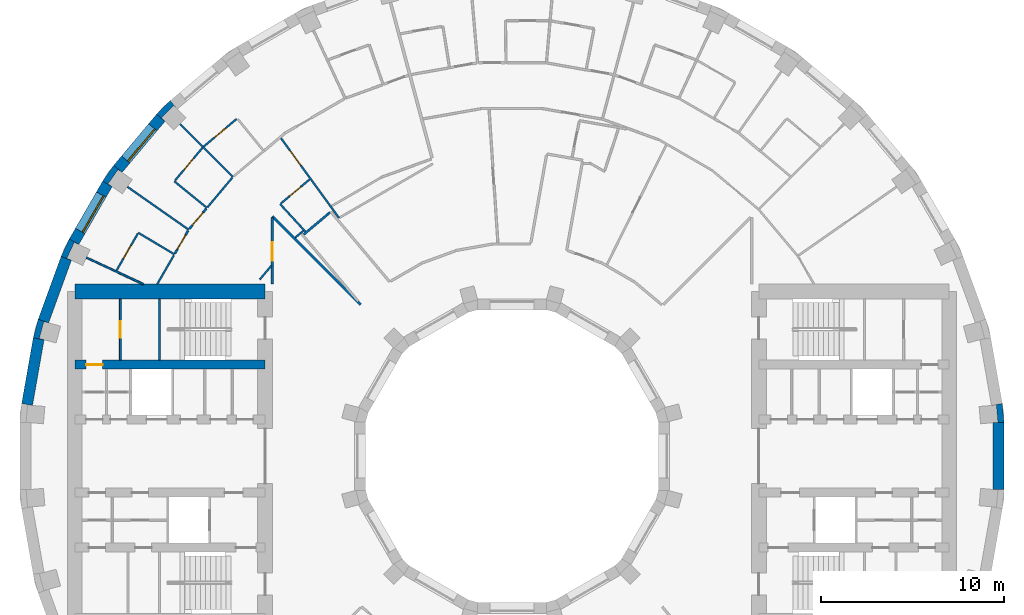
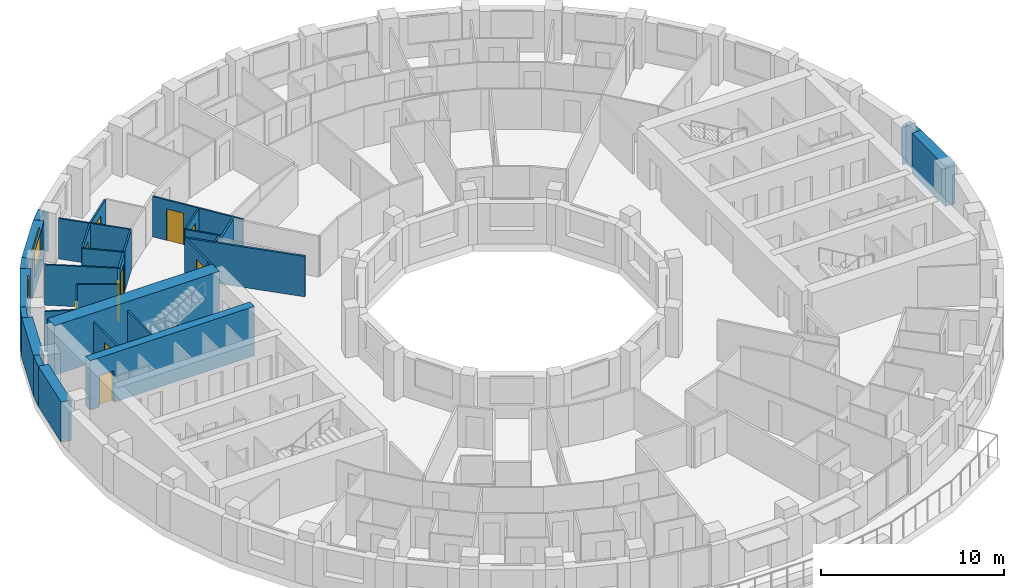
# One storey, part 11 of 16: 34 walls, 10 doors, 2 windows, 12 openings.
"""IFC4 building model written with IfcOpenShell, lengths in metres."""

from ifc_helpers import new_model, si_unit, direction, frame, frame_2d, origin, place, context, subcontext, project, spatial, polyline, rectangle, outline, extrude, material, layer, layer_set, type_object, element, fill, save


model = new_model("IFC4")

# Units and contexts
model_context = context("Model", 3, precision=1e-05, world=origin(), true_north=direction((0.0, 1.0)))
body_context = subcontext(model_context, "Body", "Model", "MODEL_VIEW")
ifc_project = project(units=[si_unit("LENGTHUNIT", "METRE"), si_unit("AREAUNIT", "SQUARE_METRE"), si_unit("VOLUMEUNIT", "CUBIC_METRE"), si_unit("PLANEANGLEUNIT", "RADIAN"), si_unit("MASSUNIT", "GRAM", prefix="KILO")], contexts=[model_context])

# Site, building, storey
site_placement = place(None, origin())
site = spatial("IfcSite", under=ifc_project, at=site_placement, CompositionType="ELEMENT")
building_placement = place(site_placement, origin())
building = spatial("IfcBuilding", under=site, at=building_placement, Name="Saqina Gate Tower", CompositionType="ELEMENT")
storey_placement = place(building_placement, frame((0.0, 0.0, 148.0)))
storey = spatial("IfcBuildingStorey", under=building, at=storey_placement, Name="L42", CompositionType="ELEMENT", Elevation=148.0)

# Walls
ifc_material_1 = material(Name="Brick masonry (buff)", Category="masonry")
wall_type_1 = type_object("IfcWallType", Name="BRICK PIER COPING BUFF", PredefinedType="SOLIDWALL", material=ifc_material_1)
wall_1_placement = place(storey_placement, origin())
element("IfcWall", 1, at=wall_1_placement, inside=storey, type_object=wall_type_1, Name="Pier cap L42 column 1", PredefinedType="SOLIDWALL", context=body_context, shape_type="SweptSolid", body=[
    extrude(outline(polyline([(26.805419921875, 2.87451171875), (26.214599609375, 2.770263671875), (26.482421875, 2.793701171875), (26.565185546875, 1.847412109375), (26.29736328125, 1.823974609375), (26.897216796875, 1.823974609375), (26.805419921875, 2.87451171875)])), origin(), (0.0, 0.0, 1.0), 2.699951171875),
])
wall_2_placement = place(storey_placement, origin())
element("IfcWall", 2, at=wall_2_placement, inside=storey, type_object=wall_type_1, Name="Pier cap L42 column 14", PredefinedType="SOLIDWALL", context=body_context, shape_type="SweptSolid", body=[
    extrude(outline(polyline([(-18.686279296875, 19.43212890625), (-19.43212890625, 18.686279296875), (-18.972412109375, 18.30078125), (-19.16259765625, 18.49072265625), (-18.49072265625, 19.16259765625), (-18.30078125, 18.972412109375), (-18.686279296875, 19.43212890625)])), origin(), (0.0, 0.0, 1.0), 2.699951171875),
])
wall_3_placement = place(storey_placement, origin())
element("IfcWall", 3, at=wall_3_placement, inside=storey, type_object=wall_type_1, Name="Pier cap L42 column 15", PredefinedType="SOLIDWALL", context=body_context, shape_type="SweptSolid", body=[
    extrude(outline(polyline([(-22.3818359375, 15.0283203125), (-21.862060546875, 14.728271484375), (-22.08251953125, 14.88232421875), (-21.53759765625, 15.66064453125), (-21.317138671875, 15.50634765625), (-21.77685546875, 15.89208984375), (-22.3818359375, 15.0283203125)])), origin(), (0.0, 0.0, 1.0), 2.699951171875),
])
wall_4_placement = place(storey_placement, origin())
element("IfcWall", 4, at=wall_4_placement, inside=storey, type_object=wall_type_1, Name="Pier cap L42 column 16", PredefinedType="SOLIDWALL", context=body_context, shape_type="SweptSolid", body=[
    extrude(outline(polyline([(-24.6513671875, 10.913330078125), (-24.08740234375, 10.7080078125), (-24.331298828125, 10.82177734375), (-23.9296875, 11.6826171875), (-23.68603515625, 11.569091796875), (-24.205810546875, 11.869140625), (-24.6513671875, 10.913330078125)])), origin(), (0.0, 0.0, 1.0), 2.699951171875),
])
wall_5_placement = place(storey_placement, origin())
element("IfcWall", 5, at=wall_5_placement, inside=storey, type_object=wall_type_1, Name="Pier cap L42 column 17", PredefinedType="SOLIDWALL", context=body_context, shape_type="SweptSolid", body=[
    extrude(outline(polyline([(-25.89892578125, 7.485595703125), (-26.171875, 6.466796875), (-25.5810546875, 6.36279296875), (-25.8408203125, 6.43212890625), (-25.5947265625, 7.349853515625), (-25.335205078125, 7.2802734375), (-25.89892578125, 7.485595703125)])), origin(), (0.0, 0.0, 1.0), 2.699951171875),
])

# Wall, opening, door
ifc_material_2 = material(Name="Gypsum board on steel studs", Category="steel")
ifc_layer_1 = layer(ifc_material_2, 0.10009765625)
ifc_layer_set_1 = layer_set([ifc_layer_1], Name="CORE PARTITION")
wall_type_2 = type_object("IfcWallType", Name="CORE PARTITION", PredefinedType="PARTITIONING", material=ifc_layer_set_1)
wall_6_placement = place(storey_placement, frame((-21.409912109375, 5.25, 0.0), z_axis=(0.0, 0.0, 1.0), x_axis=(0.0, 1.0, 0.0)))
wall_6 = element("IfcWall", 6, at=wall_6_placement, inside=storey, type_object=wall_type_2, Name="L42-CP-W14", PredefinedType="PARTITIONING", context=body_context, shape_type="SweptSolid", body=[
    extrude(rectangle(XDim=3.35009765625, YDim=0.10009765625, at=frame_2d((1.675048828125, 0.0))), origin(), (0.0, 0.0, 1.0), 2.699951171875),
])
opening_1_placement = place(wall_6_placement, frame((1.22509765625, 0.0, 0.0)))
opening_1 = element("IfcOpeningElement", 7, at=opening_1_placement, cuts=wall_6, Name="Opening G12-D120", PredefinedType="OPENING", context=body_context, shape_type="SweptSolid", body=[
    extrude(rectangle(XDim=0.89990234375, YDim=2.10009765625, at=frame_2d((0.449951171875, 1.050048828125))), frame((0.0, 0.06201171875, 0.0), z_axis=(0.0, -1.0, 0.0), x_axis=(1.0, 0.0, 0.0)), (0.0, 0.0, 1.0), 0.1240234375),
])
ifc_material_3 = material(Name="Steel-framed fire door leaf, EI 60", Category="steel")
door_type_1 = type_object("IfcDoorType", Name="SERVICE ROOM DOOR 900", OperationType="SINGLE_SWING_LEFT", PredefinedType="DOOR", material=ifc_material_3)
door_1_placement = place(opening_1_placement, origin())
door_1 = element("IfcDoor", 8, at=door_1_placement, inside=storey, type_object=door_type_1, Name="L42-CD-W31", OperationType="SINGLE_SWING_RIGHT", OverallHeight=2.10009765625, OverallWidth=0.89990234375, PredefinedType="DOOR", context=body_context, shape_type="SweptSolid", body=[
    extrude(rectangle(XDim=0.89990234375, YDim=2.10009765625, at=frame_2d((0.449951171875, 1.050048828125))), frame((0.0, 0.02490234375, 0.0), z_axis=(0.0, -1.0, 0.0), x_axis=(1.0, 0.0, 0.0)), (0.0, 0.0, 1.0), 0.050048828125),
])
fill(opening_1, door_1)

# Wall, opening, window
ifc_material_4 = material(Name="Brick masonry (buff)", Category="masonry")
ifc_layer_2 = layer(ifc_material_4, 0.60009765625)
ifc_layer_set_2 = layer_set([ifc_layer_2], Name="FW-BRICK-BUFF")
wall_type_3 = type_object("IfcWallType", Name="FW-BRICK-BUFF", PredefinedType="SOLIDWALL", material=ifc_layer_set_2)
wall_7_placement = place(storey_placement, frame((-19.202392578125, 18.49365234375, 0.0), z_axis=(0.0, 0.0, 1.0), x_axis=(-0.642774476932, -0.766055462616, 0.0)))
wall_7 = element("IfcWall", 9, at=wall_7_placement, inside=storey, type_object=wall_type_3, Name="Facade wall L42 facet 14", PredefinedType="SOLIDWALL", context=body_context, shape_type="SweptSolid", body=[
    extrude(rectangle(XDim=3.647705078125, YDim=0.60009765625, at=frame_2d((1.82373046875, 0.0))), origin(), (0.0, 0.0, 1.0), 2.699951171875),
])
opening_2_placement = place(wall_7_placement, frame((0.673828125, 0.0, 0.89990234375)))
opening_2 = element("IfcOpeningElement", 10, at=opening_2_placement, cuts=wall_7, Name="Opening G12-W12", PredefinedType="OPENING", context=body_context, shape_type="SweptSolid", body=[
    extrude(rectangle(XDim=2.300048828125, YDim=1.800048828125, at=frame_2d((1.14990234375, 0.89990234375))), frame((0.0, 0.31201171875, 0.0), z_axis=(0.0, -1.0, 0.0), x_axis=(1.0, 0.0, 0.0)), (0.0, 0.0, 1.0), 0.6240234375),
])
ifc_material_5 = material(Name="Aluminium glazing", Category="aluminium")
window_type = type_object("IfcWindowType", Name="WN-B", PartitioningType="SINGLE_PANEL", PredefinedType="WINDOW", material=ifc_material_5)
window_1_placement = place(opening_2_placement, origin())
window_1 = element("IfcWindow", 11, at=window_1_placement, inside=storey, type_object=window_type, Name="Window L42 facet 14", OverallHeight=1.800048828125, OverallWidth=2.300048828125, PartitioningType="SINGLE_PANEL", PredefinedType="WINDOW", context=body_context, shape_type="SweptSolid", body=[
    extrude(rectangle(XDim=2.300048828125, YDim=1.800048828125, at=frame_2d((1.14990234375, 0.89990234375))), frame((0.0, 0.179931640625, 0.0), z_axis=(0.0, -1.0, 0.0), x_axis=(1.0, 0.0, 0.0)), (0.0, 0.0, 1.0), 0.06005859375),
])
fill(opening_2, window_1)

wall_8_placement = place(storey_placement, frame((-22.1220703125, 14.878173828125, 0.0), z_axis=(0.0, 0.0, 1.0), x_axis=(-0.499954196102, -0.866051847062, 0.0)))
wall_8 = element("IfcWall", 12, at=wall_8_placement, inside=storey, type_object=wall_type_3, Name="Facade wall L42 facet 15", PredefinedType="SOLIDWALL", context=body_context, shape_type="SweptSolid", body=[
    extrude(rectangle(XDim=3.647705078125, YDim=0.60009765625, at=frame_2d((1.82373046875, 0.0))), origin(), (0.0, 0.0, 1.0), 2.699951171875),
])
opening_3_placement = place(wall_8_placement, frame((0.673828125, 0.0, 0.89990234375)))
opening_3 = element("IfcOpeningElement", 13, at=opening_3_placement, cuts=wall_8, Name="Opening G12-W13", PredefinedType="OPENING", context=body_context, shape_type="SweptSolid", body=[
    extrude(rectangle(XDim=2.300048828125, YDim=1.800048828125, at=frame_2d((1.14990234375, 0.89990234375))), frame((0.0, 0.31201171875, 0.0), z_axis=(0.0, -1.0, 0.0), x_axis=(1.0, 0.0, 0.0)), (0.0, 0.0, 1.0), 0.6240234375),
])
window_2_placement = place(opening_3_placement, origin())
window_2 = element("IfcWindow", 14, at=window_2_placement, inside=storey, type_object=window_type, Name="Window L42 facet 15", OverallHeight=1.800048828125, OverallWidth=2.300048828125, PartitioningType="SINGLE_PANEL", PredefinedType="WINDOW", context=body_context, shape_type="SweptSolid", body=[
    extrude(rectangle(XDim=2.300048828125, YDim=1.800048828125, at=frame_2d((1.14990234375, 0.89990234375))), frame((0.0, 0.179931640625, 0.0), z_axis=(0.0, -1.0, 0.0), x_axis=(1.0, 0.0, 0.0)), (0.0, 0.0, 1.0), 0.06005859375),
])
fill(opening_3, window_2)

# Walls
ifc_material_6 = material(Name="Glazed ceramic tile", Category="ceramic")
ifc_layer_3 = layer(ifc_material_6, 0.60009765625)
ifc_layer_set_3 = layer_set([ifc_layer_3], Name="FW-TILE")
wall_type_4 = type_object("IfcWallType", Name="FW-TILE", PredefinedType="SOLIDWALL", material=ifc_layer_set_3)
wall_9_placement = place(storey_placement, frame((-25.87646484375, 6.414794921875, 0.0), z_axis=(0.0, 0.0, 1.0), x_axis=(-0.173670796382, -0.984803764455, 0.0)))
element("IfcWall", 15, at=wall_9_placement, inside=storey, type_object=wall_type_4, Name="Facade wall L42 facet 17", PredefinedType="SOLIDWALL", context=body_context, shape_type="SweptSolid", body=[
    extrude(rectangle(XDim=3.64794921875, YDim=0.60009765625, at=frame_2d((1.823974609375, 0.0))), origin(), (0.0, 0.0, 1.0), 2.699951171875),
])
ifc_material_7 = material(Name="Glazed ceramic tile (dark blue)", Category="ceramic")
ifc_layer_4 = layer(ifc_material_7, 0.60009765625)
ifc_layer_set_4 = layer_set([ifc_layer_4], Name="FW-TILE-CB")
wall_type_5 = type_object("IfcWallType", Name="FW-TILE-CB", PredefinedType="SOLIDWALL", material=ifc_layer_set_4)
for number, where, z_axis, x_axis, name in (
    (16, (-24.369384765625, 10.810791015625, 0.0), (0.0, 0.0, 1.0), (-0.341990236633, -0.939703505393, 0.0), "Facade wall L42 facet 16"),
    (17, (26.59716796875, -1.823974609375, 0.0), (0.0, 0.0, 1.0), (0.0, 1.0, 0.0), "Facade wall L42 facet 36"),
):
    element("IfcWall", number, at=place(storey_placement, frame(where, z_axis=z_axis, x_axis=x_axis)), inside=storey, type_object=wall_type_5, Name=name, PredefinedType="SOLIDWALL", context=body_context, shape_type="SweptSolid", body=[
        extrude(rectangle(XDim=3.64794921875, YDim=0.60009765625, at=frame_2d((1.823974609375, 0.0))), origin(), (0.0, 0.0, 1.0), 2.699951171875),
    ])

# Wall, opening, door
ifc_material_8 = material(Name="Gypsum board on steel studs, 100 mm", Category="steel")
ifc_layer_5 = layer(ifc_material_8, 0.10009765625)
ifc_layer_set_5 = layer_set([ifc_layer_5], Name="PARTITION 100")
wall_type_6 = type_object("IfcWallType", Name="PARTITION 100", PredefinedType="PARTITIONING", material=ifc_layer_set_5)
wall_10_placement = place(storey_placement, frame((-12.629150390625, 17.3818359375, 0.0), z_axis=(0.0, 0.0, 1.0), x_axis=(0.587934886014, -0.808908257967, 0.0)))
wall_10 = element("IfcWall", 18, at=wall_10_placement, inside=storey, type_object=wall_type_6, Name="PARTITION PW3-14", PredefinedType="PARTITIONING", context=body_context, shape_type="SweptSolid", body=[
    extrude(rectangle(XDim=5.39501953125, YDim=0.10009765625, at=frame_2d((2.697509765625, 0.0))), origin(), (0.0, 0.0, 1.0), 2.699951171875),
])
opening_4_placement = place(wall_10_placement, frame((0.839599609375, 0.0, 0.0)))
opening_4 = element("IfcOpeningElement", 19, at=opening_4_placement, cuts=wall_10, Name="Opening G12-D24", PredefinedType="OPENING", context=body_context, shape_type="SweptSolid", body=[
    extrude(rectangle(XDim=1.0, YDim=2.10009765625, at=frame_2d((0.5, 1.050048828125))), frame((0.0, 0.06201171875, 0.0), z_axis=(0.0, -1.0, 0.0), x_axis=(1.0, 0.0, 0.0)), (0.0, 0.0, 1.0), 0.1240234375),
])
ifc_material_9 = material(Name="Timber door leaf, 1000 mm", Category="wood")
door_type_2 = type_object("IfcDoorType", Name="DOOR 1000 TIMBER", OperationType="SINGLE_SWING_LEFT", PredefinedType="DOOR", material=ifc_material_9)
door_2_placement = place(opening_4_placement, origin())
door_2 = element("IfcDoor", 20, at=door_2_placement, inside=storey, type_object=door_type_2, Name="DOOR G12-D24", OperationType="SINGLE_SWING_LEFT", OverallHeight=2.10009765625, OverallWidth=1.0, PredefinedType="DOOR", context=body_context, shape_type="SweptSolid", body=[
    extrude(rectangle(XDim=1.0, YDim=2.10009765625, at=frame_2d((0.5, 1.050048828125))), frame((0.0, 0.02490234375, 0.0), z_axis=(0.0, -1.0, 0.0), x_axis=(1.0, 0.0, 0.0)), (0.0, 0.0, 1.0), 0.050048828125),
])
fill(opening_4, door_2)

# Walls
wall_11_placement = place(storey_placement, frame((-12.67529296875, 13.775634765625, 0.0), z_axis=(0.0, 0.0, 1.0), x_axis=(0.676672647076, -0.736284000029, 0.0)))
element("IfcWall", 21, at=wall_11_placement, inside=storey, type_object=wall_type_6, Name="PARTITION PW3-21", PredefinedType="PARTITIONING", context=body_context, shape_type="SweptSolid", body=[
    extrude(rectangle(XDim=2.03955078125, YDim=0.10009765625, at=frame_2d((1.019775390625, 0.0))), origin(), (0.0, 0.0, 1.0), 2.699951171875),
])
wall_12_placement = place(storey_placement, frame((-18.14794921875, 18.14794921875, 0.0), z_axis=(0.0, 0.0, 1.0), x_axis=(0.707106781187, -0.707106781187, 0.0)))
element("IfcWall", 22, at=wall_12_placement, inside=storey, type_object=wall_type_6, Name="PARTITION PW3-23", PredefinedType="PARTITIONING", context=body_context, shape_type="SweptSolid", body=[
    extrude(rectangle(XDim=4.08544921875, YDim=0.10009765625, at=frame_2d((2.042724609375, 0.0))), origin(), (0.0, 0.0, 1.0), 2.699951171875),
])
wall_13_placement = place(storey_placement, frame((-18.4599609375, 15.02197265625, 0.0), z_axis=(0.0, 0.0, 1.0), x_axis=(0.775591007639, -0.6312357633, 0.0)))
element("IfcWall", 23, at=wall_13_placement, inside=storey, type_object=wall_type_6, Name="PARTITION PW3-32", PredefinedType="PARTITIONING", context=body_context, shape_type="SweptSolid", body=[
    extrude(rectangle(XDim=2.300048828125, YDim=0.10009765625, at=frame_2d((1.14990234375, 0.0))), origin(), (0.0, 0.0, 1.0), 2.699951171875),
])
wall_14_placement = place(storey_placement, frame((-21.023681640625, 14.720703125, 0.0), z_axis=(0.0, 0.0, 1.0), x_axis=(0.819108383097, -0.573638785945, 0.0)))
element("IfcWall", 24, at=wall_14_placement, inside=storey, type_object=wall_type_6, Name="PARTITION PW3-33", PredefinedType="PARTITIONING", context=body_context, shape_type="SweptSolid", body=[
    extrude(rectangle(XDim=4.085693359375, YDim=0.10009765625, at=frame_2d((2.04296875, 0.0))), origin(), (0.0, 0.0, 1.0), 2.699951171875),
])
wall_15_placement = place(storey_placement, frame((-20.429931640625, 12.208984375, 0.0), z_axis=(0.0, 0.0, 1.0), x_axis=(0.858446574718, -0.512902991174, 0.0)))
element("IfcWall", 25, at=wall_15_placement, inside=storey, type_object=wall_type_6, Name="PARTITION PW3-35", PredefinedType="PARTITIONING", context=body_context, shape_type="SweptSolid", body=[
    extrude(rectangle(XDim=2.300537109375, YDim=0.10009765625, at=frame_2d((1.150390625, 0.0))), origin(), (0.0, 0.0, 1.0), 2.699951171875),
])
wall_16_placement = place(storey_placement, frame((-23.260009765625, 10.84716796875, 0.0), z_axis=(0.0, 0.0, 1.0), x_axis=(0.906223222272, -0.422799564114, 0.0)))
element("IfcWall", 26, at=wall_16_placement, inside=storey, type_object=wall_type_6, Name="PARTITION PW3-45", PredefinedType="PARTITIONING", context=body_context, shape_type="SweptSolid", body=[
    extrude(rectangle(XDim=3.423095703125, YDim=0.10009765625, at=frame_2d((1.71142578125, 0.0))), origin(), (0.0, 0.0, 1.0), 2.699951171875),
])
wall_17_placement = place(storey_placement, frame((-11.853515625, 11.94140625, 0.0), z_axis=(0.0, 0.0, 1.0), x_axis=(0.765622887771, 0.643289665486, 0.0)))
element("IfcWall", 27, at=wall_17_placement, inside=storey, type_object=wall_type_6, Name="PARTITION PW3-83", PredefinedType="PARTITIONING", context=body_context, shape_type="SweptSolid", body=[
    extrude(rectangle(XDim=0.586669921875, YDim=0.10009765625, at=frame_2d((0.29345703125, 0.0))), origin(), (0.0, 0.0, 1.0), 2.699951171875),
])

# Wall, opening, door
wall_18_placement = place(storey_placement, frame((-12.63671875, 13.807861328125, 0.0), z_axis=(0.0, 0.0, 1.0), x_axis=(0.766269322056, 0.64251951416, 0.0)))
wall_18 = element("IfcWall", 28, at=wall_18_placement, inside=storey, type_object=wall_type_6, Name="PARTITION PW3-84", PredefinedType="PARTITIONING", context=body_context, shape_type="SweptSolid", body=[
    extrude(rectangle(XDim=2.0439453125, YDim=0.10009765625, at=frame_2d((1.02197265625, 0.0))), origin(), (0.0, 0.0, 1.0), 2.699951171875),
])
opening_5_placement = place(wall_18_placement, frame((0.6220703125, 0.0, 0.0)))
opening_5 = element("IfcOpeningElement", 29, at=opening_5_placement, cuts=wall_18, Name="Opening G12-D25", PredefinedType="OPENING", context=body_context, shape_type="SweptSolid", body=[
    extrude(rectangle(XDim=0.800048828125, YDim=2.10009765625, at=frame_2d((0.39990234375, 1.050048828125))), frame((0.0, 0.06201171875, 0.0), z_axis=(0.0, -1.0, 0.0), x_axis=(1.0, 0.0, 0.0)), (0.0, 0.0, 1.0), 0.1240234375),
])
ifc_material_10 = material(Name="Timber door leaf, 800 mm", Category="wood")
door_type_3 = type_object("IfcDoorType", Name="DOOR 800 TIMBER", OperationType="SINGLE_SWING_LEFT", PredefinedType="DOOR", material=ifc_material_10)
door_3_placement = place(opening_5_placement, origin())
door_3 = element("IfcDoor", 30, at=door_3_placement, inside=storey, type_object=door_type_3, Name="DOOR G12-D25", OperationType="SINGLE_SWING_RIGHT", OverallHeight=2.10009765625, OverallWidth=0.800048828125, PredefinedType="DOOR", context=body_context, shape_type="SweptSolid", body=[
    extrude(rectangle(XDim=0.800048828125, YDim=2.10009765625, at=frame_2d((0.39990234375, 1.050048828125))), frame((0.0, 0.02490234375, 0.0), z_axis=(0.0, -1.0, 0.0), x_axis=(1.0, 0.0, 0.0)), (0.0, 0.0, 1.0), 0.050048828125),
])
fill(opening_5, door_3)

wall_19_placement = place(storey_placement, frame((-16.852783203125, 16.923095703125, 0.0), z_axis=(0.0, 0.0, 1.0), x_axis=(0.765924716163, 0.642930267735, 0.0)))
wall_19 = element("IfcWall", 31, at=wall_19_placement, inside=storey, type_object=wall_type_6, Name="PARTITION PW3-86", PredefinedType="PARTITIONING", context=body_context, shape_type="SweptSolid", body=[
    extrude(rectangle(XDim=2.34033203125, YDim=0.10009765625, at=frame_2d((1.170166015625, 0.0))), origin(), (0.0, 0.0, 1.0), 2.699951171875),
])
opening_6_placement = place(wall_19_placement, frame((0.769287109375, 0.0, 0.0)))
opening_6 = element("IfcOpeningElement", 32, at=opening_6_placement, cuts=wall_19, Name="Opening G12-D26", PredefinedType="OPENING", context=body_context, shape_type="SweptSolid", body=[
    extrude(rectangle(XDim=0.800048828125, YDim=2.10009765625, at=frame_2d((0.39990234375, 1.050048828125))), frame((0.0, 0.06201171875, 0.0), z_axis=(0.0, -1.0, 0.0), x_axis=(1.0, 0.0, 0.0)), (0.0, 0.0, 1.0), 0.1240234375),
])
door_4_placement = place(opening_6_placement, origin())
door_4 = element("IfcDoor", 33, at=door_4_placement, inside=storey, type_object=door_type_3, Name="DOOR G12-D26", OperationType="SINGLE_SWING_LEFT", OverallHeight=2.10009765625, OverallWidth=0.800048828125, PredefinedType="DOOR", context=body_context, shape_type="SweptSolid", body=[
    extrude(rectangle(XDim=0.800048828125, YDim=2.10009765625, at=frame_2d((0.39990234375, 1.050048828125))), frame((0.0, 0.02490234375, 0.0), z_axis=(0.0, -1.0, 0.0), x_axis=(1.0, 0.0, 0.0)), (0.0, 0.0, 1.0), 0.050048828125),
])
fill(opening_6, door_4)

# Walls
wall_20_placement = place(storey_placement, frame((-13.7880859375, 9.654052734375, 0.0), z_axis=(0.0, 0.0, 1.0), x_axis=(0.64289662775, 0.765952952881, 0.0)))
element("IfcWall", 34, at=wall_20_placement, inside=storey, type_object=wall_type_6, Name="PARTITION PW3-93", PredefinedType="PARTITIONING", context=body_context, shape_type="SweptSolid", body=[
    extrude(rectangle(XDim=1.0078125, YDim=0.10009765625, at=frame_2d((0.50390625, 0.0))), origin(), (0.0, 0.0, 1.0), 2.699951171875),
])
wall_21_placement = place(storey_placement, frame((-16.643798828125, 13.6083984375, 0.0), z_axis=(0.0, 0.0, 1.0), x_axis=(0.642715569181, 0.766104886508, 0.0)))
element("IfcWall", 35, at=wall_21_placement, inside=storey, type_object=wall_type_6, Name="PARTITION PW3-94", PredefinedType="PARTITIONING", context=body_context, shape_type="SweptSolid", body=[
    extrude(rectangle(XDim=2.103271484375, YDim=0.10009765625, at=frame_2d((1.0517578125, 0.0))), origin(), (0.0, 0.0, 1.0), 2.699951171875),
])

# Wall, opening, door
wall_22_placement = place(storey_placement, frame((-18.427734375, 15.060302734375, 0.0), z_axis=(0.0, 0.0, 1.0), x_axis=(0.642930267735, 0.765924716163, 0.0)))
wall_22 = element("IfcWall", 36, at=wall_22_placement, inside=storey, type_object=wall_type_6, Name="PARTITION PW3-95", PredefinedType="PARTITIONING", context=body_context, shape_type="SweptSolid", body=[
    extrude(rectangle(XDim=2.34033203125, YDim=0.10009765625, at=frame_2d((1.170166015625, 0.0))), origin(), (0.0, 0.0, 1.0), 2.699951171875),
])
opening_7_placement = place(wall_22_placement, frame((0.77001953125, 0.0, 0.0)))
opening_7 = element("IfcOpeningElement", 37, at=opening_7_placement, cuts=wall_22, Name="Opening G12-D27", PredefinedType="OPENING", context=body_context, shape_type="SweptSolid", body=[
    extrude(rectangle(XDim=0.800048828125, YDim=2.10009765625, at=frame_2d((0.39990234375, 1.050048828125))), frame((0.0, 0.06201171875, 0.0), z_axis=(0.0, -1.0, 0.0), x_axis=(1.0, 0.0, 0.0)), (0.0, 0.0, 1.0), 0.1240234375),
])
door_5_placement = place(opening_7_placement, origin())
door_5 = element("IfcDoor", 38, at=door_5_placement, inside=storey, type_object=door_type_3, Name="DOOR G12-D27", OperationType="SINGLE_SWING_LEFT", OverallHeight=2.10009765625, OverallWidth=0.800048828125, PredefinedType="DOOR", context=body_context, shape_type="SweptSolid", body=[
    extrude(rectangle(XDim=0.800048828125, YDim=2.10009765625, at=frame_2d((0.39990234375, 1.050048828125))), frame((0.0, 0.02490234375, 0.0), z_axis=(0.0, -1.0, 0.0), x_axis=(1.0, 0.0, 0.0)), (0.0, 0.0, 1.0), 0.050048828125),
])
fill(opening_7, door_5)

# Wall
wall_23_placement = place(storey_placement, frame((-19.39599609375, 9.39990234375, 0.0), z_axis=(0.0, 0.0, 1.0), x_axis=(0.500210961829, 0.865903570651, 0.0)))
element("IfcWall", 39, at=wall_23_placement, inside=storey, type_object=wall_type_6, Name="PARTITION PW3-103", PredefinedType="PARTITIONING", context=body_context, shape_type="SweptSolid", body=[
    extrude(rectangle(XDim=1.831298828125, YDim=0.10009765625, at=frame_2d((0.91552734375, 0.0))), origin(), (0.0, 0.0, 1.0), 2.699951171875),
])

# Wall, opening, door
wall_24_placement = place(storey_placement, frame((-21.625, 10.139404296875, 0.0), z_axis=(0.0, 0.0, 1.0), x_axis=(0.499999433879, 0.866025730634, 0.0)))
wall_24 = element("IfcWall", 40, at=wall_24_placement, inside=storey, type_object=wall_type_6, Name="PARTITION PW3-104", PredefinedType="PARTITIONING", context=body_context, shape_type="SweptSolid", body=[
    extrude(rectangle(XDim=2.33984375, YDim=0.10009765625, at=frame_2d((1.169921875, 0.0))), origin(), (0.0, 0.0, 1.0), 2.699951171875),
])
opening_8_placement = place(wall_24_placement, frame((0.77001953125, 0.0, 0.0)))
opening_8 = element("IfcOpeningElement", 41, at=opening_8_placement, cuts=wall_24, Name="Opening G12-D31", PredefinedType="OPENING", context=body_context, shape_type="SweptSolid", body=[
    extrude(rectangle(XDim=0.800048828125, YDim=2.10009765625, at=frame_2d((0.39990234375, 1.050048828125))), frame((0.0, 0.06201171875, 0.0), z_axis=(0.0, -1.0, 0.0), x_axis=(1.0, 0.0, 0.0)), (0.0, 0.0, 1.0), 0.1240234375),
])
door_6_placement = place(opening_8_placement, origin())
door_6 = element("IfcDoor", 42, at=door_6_placement, inside=storey, type_object=door_type_3, Name="DOOR G12-D31", OperationType="SINGLE_SWING_RIGHT", OverallHeight=2.10009765625, OverallWidth=0.800048828125, PredefinedType="DOOR", context=body_context, shape_type="SweptSolid", body=[
    extrude(rectangle(XDim=0.800048828125, YDim=2.10009765625, at=frame_2d((0.39990234375, 1.050048828125))), frame((0.0, 0.02490234375, 0.0), z_axis=(0.0, -1.0, 0.0), x_axis=(1.0, 0.0, 0.0)), (0.0, 0.0, 1.0), 0.050048828125),
])
fill(opening_8, door_6)

# Walls
ifc_material_11 = material(Name="Gypsum board on steel studs, 125 mm, fire rated", Category="steel")
ifc_layer_6 = layer(ifc_material_11, 0.125)
ifc_layer_set_6 = layer_set([ifc_layer_6], Name="PARTITION EI 30 125")
wall_type_7 = type_object("IfcWallType", Name="PARTITION EI 30 125", PredefinedType="PARTITIONING", material=ifc_layer_set_6)
wall_25_placement = place(storey_placement, frame((-13.096923828125, 13.096923828125, 0.0), z_axis=(0.0, 0.0, 1.0), x_axis=(0.707106781187, -0.707106781187, 0.0)))
element("IfcWall", 43, at=wall_25_placement, inside=storey, type_object=wall_type_7, Name="PARTITION PW1-09", PredefinedType="PARTITIONING", context=body_context, shape_type="SweptSolid", body=[
    extrude(rectangle(XDim=6.81494140625, YDim=0.125, at=frame_2d((3.407470703125, 0.0))), origin(), (0.0, 0.0, 1.0), 2.699951171875),
])
wall_26_placement = place(storey_placement, frame((-11.38818359375, 12.1142578125, 0.0), z_axis=(0.0, 0.0, 1.0), x_axis=(0.766199817297, 0.642602396489, 0.0)))
element("IfcWall", 44, at=wall_26_placement, inside=storey, type_object=wall_type_7, Name="PARTITION PW1-46", PredefinedType="PARTITIONING", context=body_context, shape_type="SweptSolid", body=[
    extrude(rectangle(XDim=1.87451171875, YDim=0.125, at=frame_2d((0.937255859375, 0.0))), origin(), (0.0, 0.0, 1.0), 2.699951171875),
])

# Wall, opening, door
wall_27_placement = place(storey_placement, frame((-17.644775390625, 12.415283203125, 0.0), z_axis=(0.0, 0.0, 1.0), x_axis=(0.642669367872, 0.766143644233, 0.0)))
wall_27 = element("IfcWall", 45, at=wall_27_placement, inside=storey, type_object=wall_type_7, Name="PARTITION PW1-52", PredefinedType="PARTITIONING", context=body_context, shape_type="SweptSolid", body=[
    extrude(rectangle(XDim=1.457275390625, YDim=0.125, at=frame_2d((0.728515625, 0.0))), origin(), (0.0, 0.0, 1.0), 2.699951171875),
])
opening_9_placement = place(wall_27_placement, frame((0.27880859375, 0.0, 0.0)))
opening_9 = element("IfcOpeningElement", 46, at=opening_9_placement, cuts=wall_27, Name="Opening G12-D29", PredefinedType="OPENING", context=body_context, shape_type="SweptSolid", body=[
    extrude(rectangle(XDim=0.89990234375, YDim=2.10009765625, at=frame_2d((0.449951171875, 1.050048828125))), frame((0.0, 0.074462890625, 0.0), z_axis=(0.0, -1.0, 0.0), x_axis=(1.0, 0.0, 0.0)), (0.0, 0.0, 1.0), 0.14892578125),
])
ifc_material_12 = material(Name="Fire door leaf EI 30, 900 mm")
door_type_4 = type_object("IfcDoorType", Name="DOOR 900 EI 30", OperationType="SINGLE_SWING_LEFT", PredefinedType="DOOR", material=ifc_material_12)
door_7_placement = place(opening_9_placement, frame((0.89990234375, 0.0, 0.0), z_axis=(0.0, 0.0, 1.0), x_axis=(-1.0, 0.0, 0.0)))
door_7 = element("IfcDoor", 47, at=door_7_placement, inside=storey, type_object=door_type_4, Name="DOOR G12-D29", OperationType="SINGLE_SWING_RIGHT", OverallHeight=2.10009765625, OverallWidth=0.89990234375, PredefinedType="DOOR", context=body_context, shape_type="SweptSolid", body=[
    extrude(rectangle(XDim=0.89990234375, YDim=2.10009765625, at=frame_2d((0.449951171875, 1.050048828125))), frame((0.0, 0.02490234375, 0.0), z_axis=(0.0, -1.0, 0.0), x_axis=(1.0, 0.0, 0.0)), (0.0, 0.0, 1.0), 0.050048828125),
])
fill(opening_9, door_7)

wall_28_placement = place(storey_placement, frame((-18.429931640625, 11.072265625, 0.0), z_axis=(0.0, 0.0, 1.0), x_axis=(0.499849317439, 0.866112382925, 0.0)))
wall_28 = element("IfcWall", 48, at=wall_28_placement, inside=storey, type_object=wall_type_7, Name="PARTITION PW1-55", PredefinedType="PARTITIONING", context=body_context, shape_type="SweptSolid", body=[
    extrude(rectangle(XDim=1.44384765625, YDim=0.125, at=frame_2d((0.721923828125, 0.0))), origin(), (0.0, 0.0, 1.0), 2.699951171875),
])
opening_10_placement = place(wall_28_placement, frame((0.2783203125, 0.0, 0.0)))
opening_10 = element("IfcOpeningElement", 49, at=opening_10_placement, cuts=wall_28, Name="Opening G12-D30", PredefinedType="OPENING", context=body_context, shape_type="SweptSolid", body=[
    extrude(rectangle(XDim=0.89990234375, YDim=2.10009765625, at=frame_2d((0.449951171875, 1.050048828125))), frame((0.0, 0.074462890625, 0.0), z_axis=(0.0, -1.0, 0.0), x_axis=(1.0, 0.0, 0.0)), (0.0, 0.0, 1.0), 0.14892578125),
])
door_8_placement = place(opening_10_placement, frame((0.89990234375, 0.0, 0.0), z_axis=(0.0, 0.0, 1.0), x_axis=(-1.0, 0.0, 0.0)))
door_8 = element("IfcDoor", 50, at=door_8_placement, inside=storey, type_object=door_type_4, Name="DOOR G12-D30", OperationType="SINGLE_SWING_LEFT", OverallHeight=2.10009765625, OverallWidth=0.89990234375, PredefinedType="DOOR", context=body_context, shape_type="SweptSolid", body=[
    extrude(rectangle(XDim=0.89990234375, YDim=2.10009765625, at=frame_2d((0.449951171875, 1.050048828125))), frame((0.0, 0.02490234375, 0.0), z_axis=(0.0, -1.0, 0.0), x_axis=(1.0, 0.0, 0.0)), (0.0, 0.0, 1.0), 0.050048828125),
])
fill(opening_10, door_8)

wall_29_placement = place(storey_placement, frame((-13.10009765625, 9.39990234375, 0.0), z_axis=(0.0, 0.0, 1.0), x_axis=(0.0, 1.0, 0.0)))
wall_29 = element("IfcWall", 51, at=wall_29_placement, inside=storey, type_object=wall_type_7, Name="PARTITION PW1-62", PredefinedType="PARTITIONING", context=body_context, shape_type="SweptSolid", body=[
    extrude(rectangle(XDim=3.633544921875, YDim=0.125, at=frame_2d((1.81689453125, 0.0))), origin(), (0.0, 0.0, 1.0), 2.699951171875),
])
opening_11_placement = place(wall_29_placement, frame((1.284912109375, 0.0, 0.0)))
opening_11 = element("IfcOpeningElement", 52, at=opening_11_placement, cuts=wall_29, Name="Opening G12-D28", PredefinedType="OPENING", context=body_context, shape_type="SweptSolid", body=[
    extrude(rectangle(XDim=1.0, YDim=2.10009765625, at=frame_2d((0.5, 1.050048828125))), frame((0.0, 0.074462890625, 0.0), z_axis=(0.0, -1.0, 0.0), x_axis=(1.0, 0.0, 0.0)), (0.0, 0.0, 1.0), 0.14892578125),
])
ifc_material_13 = material(Name="Fire door leaf EI 30, 1000 mm")
door_type_5 = type_object("IfcDoorType", Name="DOOR 1000 EI 30", OperationType="SINGLE_SWING_LEFT", PredefinedType="DOOR", material=ifc_material_13)
door_9_placement = place(opening_11_placement, origin())
door_9 = element("IfcDoor", 53, at=door_9_placement, inside=storey, type_object=door_type_5, Name="DOOR G12-D28", OperationType="SINGLE_SWING_LEFT", OverallHeight=2.10009765625, OverallWidth=1.0, PredefinedType="DOOR", context=body_context, shape_type="SweptSolid", body=[
    extrude(rectangle(XDim=1.0, YDim=2.10009765625, at=frame_2d((0.5, 1.050048828125))), frame((0.0, 0.02490234375, 0.0), z_axis=(0.0, -1.0, 0.0), x_axis=(1.0, 0.0, 0.0)), (0.0, 0.0, 1.0), 0.050048828125),
])
fill(opening_11, door_9)

# Wall
ifc_material_14 = material(Name="Autoclaved aerated concrete block", Category="concrete")
ifc_layer_7 = layer(ifc_material_14, 0.10009765625)
ifc_layer_set_7 = layer_set([ifc_layer_7], Name="STAIR ENCLOSURE WALL")
wall_type_8 = type_object("IfcWallType", Name="STAIR ENCLOSURE WALL", PredefinedType="PARTITIONING", material=ifc_layer_set_7)
wall_30_placement = place(storey_placement, frame((-19.27001953125, 5.25, 0.0), z_axis=(0.0, 0.0, 1.0), x_axis=(0.0, 1.0, 0.0)))
element("IfcWall", 54, at=wall_30_placement, inside=storey, type_object=wall_type_8, Name="L42-CP-W13", PredefinedType="PARTITIONING", context=body_context, shape_type="SweptSolid", body=[
    extrude(rectangle(XDim=3.35009765625, YDim=0.10009765625, at=frame_2d((1.675048828125, 0.0))), origin(), (0.0, 0.0, 1.0), 2.699951171875),
])

# Wall, opening, door
ifc_material_15 = material(Name="Concrete C70/85", Category="concrete")
ifc_layer_8 = layer(ifc_material_15, 0.5)
ifc_layer_set_8 = layer_set([ifc_layer_8], Name="Concrete C70/85")
wall_type_9 = type_object("IfcWallType", Name="STR-CORE WALL-B-I", PredefinedType="SHEAR", material=ifc_layer_set_8)
wall_31_placement = place(storey_placement, frame((-13.5, 5.0, 0.0), z_axis=(0.0, 0.0, 1.0), x_axis=(-1.0, 0.0, 0.0)))
wall_31 = element("IfcWall", 55, at=wall_31_placement, inside=storey, type_object=wall_type_9, Name="CORE WALL L42 W-X1", PredefinedType="SHEAR", context=body_context, shape_type="SweptSolid", body=[
    extrude(rectangle(XDim=10.39990234375, YDim=0.5, at=frame_2d((5.199951171875, 0.0))), origin(), (0.0, 0.0, 1.0), 3.300048828125),
])
opening_12_placement = place(wall_31_placement, frame((8.885009765625, 0.0, 0.0)))
opening_12 = element("IfcOpeningElement", 56, at=opening_12_placement, cuts=wall_31, Name="Opening G12-D121", PredefinedType="OPENING", context=body_context, shape_type="SweptSolid", body=[
    extrude(rectangle(XDim=0.89990234375, YDim=2.10009765625, at=frame_2d((0.449951171875, 1.050048828125))), frame((0.0, 0.261962890625, 0.0), z_axis=(0.0, -1.0, 0.0), x_axis=(1.0, 0.0, 0.0)), (0.0, 0.0, 1.0), 0.52392578125),
])
door_10_placement = place(opening_12_placement, frame((0.89990234375, 0.0, 0.0), z_axis=(0.0, 0.0, 1.0), x_axis=(-1.0, 0.0, 0.0)))
door_10 = element("IfcDoor", 57, at=door_10_placement, inside=storey, type_object=door_type_1, Name="L42-CD-W32", OperationType="SINGLE_SWING_LEFT", OverallHeight=2.10009765625, OverallWidth=0.89990234375, PredefinedType="DOOR", context=body_context, shape_type="SweptSolid", body=[
    extrude(rectangle(XDim=0.89990234375, YDim=2.10009765625, at=frame_2d((0.449951171875, 1.050048828125))), frame((0.0, 0.02490234375, 0.0), z_axis=(0.0, -1.0, 0.0), x_axis=(1.0, 0.0, 0.0)), (0.0, 0.0, 1.0), 0.050048828125),
])
fill(opening_12, door_10)

# Wall
ifc_material_16 = material(Name="Concrete C70/85", Category="concrete")
ifc_layer_9 = layer(ifc_material_16, 0.800048828125)
ifc_layer_set_9 = layer_set([ifc_layer_9], Name="Concrete C70/85")
wall_type_10 = type_object("IfcWallType", Name="STR-CORE WALL-B-O", PredefinedType="SHEAR", material=ifc_layer_set_9)
wall_32_placement = place(storey_placement, frame((-13.5, 9.0, 0.0), z_axis=(0.0, 0.0, 1.0), x_axis=(-1.0, 0.0, 0.0)))
element("IfcWall", 58, at=wall_32_placement, inside=storey, type_object=wall_type_10, Name="CORE WALL L42 W-NE", PredefinedType="SHEAR", context=body_context, shape_type="SweptSolid", body=[
    extrude(rectangle(XDim=10.39990234375, YDim=0.800048828125, at=frame_2d((5.199951171875, 0.0))), origin(), (0.0, 0.0, 1.0), 3.300048828125),
])

save(model, "model.ifc")
